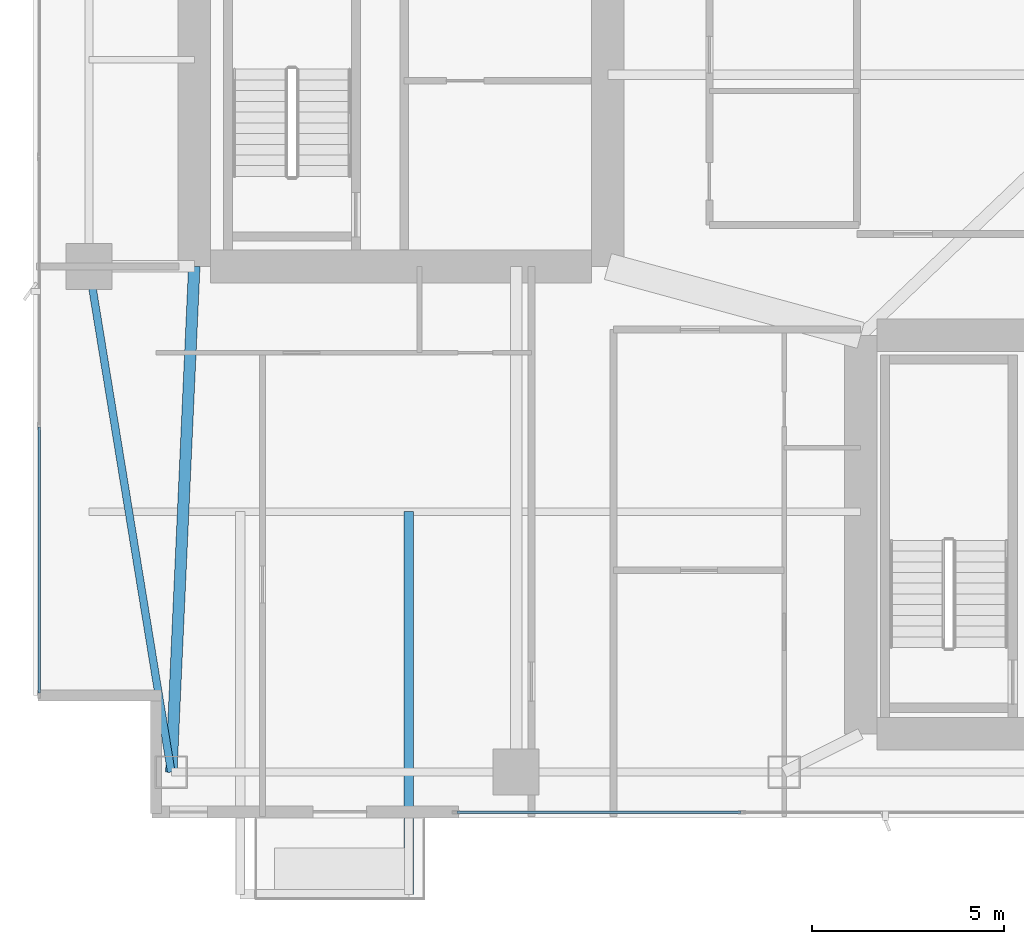
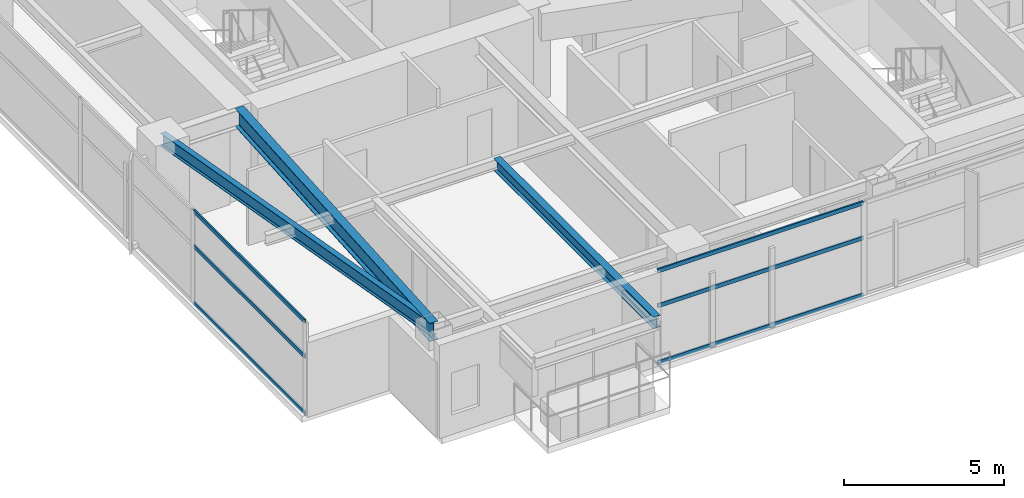
# One storey, part 3 of 28: 6 members, 3 beams, 2 elements without a shape of their own.
"""IFC4 building model written with IfcOpenShell, lengths in metres."""

from ifc_helpers import new_model, si_unit, direction, frame, origin, origin_2d, place, context, subcontext, project, spatial, hollow_rectangle, i_section, extrude, material, layer, layer_set, material_profile, profile_set, type_object, element, aggregate, save


model = new_model("IFC4")

# Units and contexts
model_context = context("Model", 3, precision=1e-05, world=origin(), true_north=direction((0.0, 1.0)))
body_context = subcontext(model_context, "Body", "Model", "MODEL_VIEW")
ifc_project = project(units=[si_unit("LENGTHUNIT", "METRE"), si_unit("AREAUNIT", "SQUARE_METRE"), si_unit("VOLUMEUNIT", "CUBIC_METRE"), si_unit("PLANEANGLEUNIT", "RADIAN"), si_unit("MASSUNIT", "GRAM", prefix="KILO")], contexts=[model_context])

# Site, building, storey
site_placement = place(None, origin())
site = spatial("IfcSite", under=ifc_project, at=site_placement, CompositionType="ELEMENT")
building_placement = place(site_placement, origin())
building = spatial("IfcBuilding", under=site, at=building_placement, Name="Calvorn Quay Hotel", CompositionType="ELEMENT")
storey_placement = place(building_placement, frame((0.0, 0.0, 131.60009765625)))
storey = spatial("IfcBuildingStorey", under=building, at=storey_placement, Name="L32", CompositionType="ELEMENT", Elevation=131.60009765625)

# Beams
ifc_material_1 = material(Name="Steel Q355B", Category="steel")
ifc_material_profile_1 = material_profile(ifc_material_1, i_section(OverallWidth=0.25, OverallDepth=0.449951171875, WebThickness=0.011962890625, FlangeThickness=0.01611328125, FilletRadius=0.01611328125, at=origin_2d()), Name="HN450x250x12x16")
ifc_profile_set_1 = profile_set([ifc_material_profile_1], Name="Steel Q355B")
beam_type_1 = type_object("IfcBeamType", Name="BM-CANT-BALC", PredefinedType="BEAM", material=ifc_profile_set_1)
beam_1_placement = place(storey_placement, frame((9.800048828125, 10.39990234375, 3.31494140625), z_axis=(0.0, -1.0, 0.0), x_axis=(1.0, 0.0, 0.0)))
element("IfcBeam", 1, at=beam_1_placement, inside=storey, type_object=beam_type_1, Name="Cantilever Balcony Beam BCB-L33-2B", PredefinedType="BEAM", context=body_context, shape_type="SweptSolid", body=[
    extrude(i_section(OverallWidth=0.25, OverallDepth=0.449951171875, WebThickness=0.011962890625, FlangeThickness=0.01611328125, FilletRadius=0.01611328125, at=origin_2d()), origin(), (0.0, 0.0, 1.0), 9.989990234375),
])
ifc_material_2 = material(Name="Steel Q390GJC", Category="steel")
ifc_material_profile_2 = material_profile(ifc_material_2, i_section(OverallWidth=0.300048828125, OverallDepth=0.699951171875, WebThickness=0.012939453125, FlangeThickness=0.02392578125, FilletRadius=0.02392578125, at=origin_2d()), Name="HN700x300x13x24")
ifc_profile_set_2 = profile_set([ifc_material_profile_2], Name="Steel Q390GJC")
beam_type_2 = type_object("IfcBeamType", Name="BM-GIRD-MAIN", PredefinedType="BEAM", material=ifc_profile_set_2)
beam_2_placement = place(storey_placement, frame((3.60009765625, 3.60009765625, 3.18994140625), z_axis=(0.045396765494, 0.998969035397, 0.0), x_axis=(-0.998969035397, 0.045396765494, 0.0)))
element("IfcBeam", 2, at=beam_2_placement, inside=storey, type_object=beam_type_2, Name="Beam BG-L32-W0", PredefinedType="BEAM", context=body_context, shape_type="SweptSolid", body=[
    extrude(i_section(OverallWidth=0.300048828125, OverallDepth=0.699951171875, WebThickness=0.012939453125, FlangeThickness=0.02392578125, FilletRadius=0.02392578125, at=origin_2d()), origin(), (0.0, 0.0, 1.0), 13.213623046875),
])
ifc_material_3 = material(Name="Steel Q355B", Category="steel")
ifc_material_profile_3 = material_profile(ifc_material_3, i_section(OverallWidth=0.199951171875, OverallDepth=0.5, WebThickness=0.010009765625, FlangeThickness=0.01611328125, FilletRadius=0.01611328125, at=origin_2d()), Name="HN500x200x10x16")
ifc_profile_set_3 = profile_set([ifc_material_profile_3], Name="Steel Q355B")
beam_type_3 = type_object("IfcBeamType", Name="BM-SPANDREL-Z1", PredefinedType="SPANDREL", material=ifc_profile_set_3)
beam_3_placement = place(storey_placement, frame((3.60009765625, 3.60009765625, 3.289794921875), z_axis=(-0.16077155054, 0.986991645627, 0.0), x_axis=(-0.986991645627, -0.16077155054, 0.0)))
element("IfcBeam", 3, at=beam_3_placement, inside=storey, type_object=beam_type_3, Name="Beam BSP-L32-W1", PredefinedType="SPANDREL", context=body_context, shape_type="SweptSolid", body=[
    extrude(i_section(OverallWidth=0.199951171875, OverallDepth=0.5, WebThickness=0.010009765625, FlangeThickness=0.01611328125, FilletRadius=0.01611328125, at=origin_2d()), origin(), (0.0, 0.0, 1.0), 13.3740234375),
])

# Curtain wall, members
ifc_material_4 = material(Name="Pale Anodised Aluminium and Low-E Glass", Category="aluminium")
ifc_layer = layer(ifc_material_4, 0.219970703125)
ifc_layer_set = layer_set([ifc_layer], Name="CW-SYS-Z2")
curtain_wall_type = type_object("IfcCurtainWallType", Name="CW-SYS-Z2", PredefinedType="NOTDEFINED", material=ifc_layer_set)
curtain_wall_1_placement = place(storey_placement, origin())
curtain_wall_1 = element("IfcCurtainWall", 4, at=curtain_wall_1_placement, inside=storey, type_object=curtain_wall_type, Name="Tower West Curtain Wall (L32)", PredefinedType="NOTDEFINED")
ifc_material_5 = material(Name="Pale Anodised Aluminium 6063-T6", Category="aluminium")
ifc_material_profile_4 = material_profile(ifc_material_5, hollow_rectangle(XDim=0.06005859375, YDim=0.14990234375, WallThickness=0.00341796875, at=origin_2d()), Name="ALU-T150x60x3.5")
ifc_profile_set_4 = profile_set([ifc_material_profile_4], Name="Pale Anodised Aluminium 6063-T6")
member_type = type_object("IfcMemberType", Name="CW-SYS-Z2-TRN", PredefinedType="USERDEFINED", material=ifc_profile_set_4)
member_1_placement = place(storey_placement, frame((0.14990234375, 5.659912109375, 0.02978515625), z_axis=(0.0, 1.0, 0.0), x_axis=(-1.0, 0.0, 0.0)))
member_1 = element("IfcMember", 5, at=member_1_placement, type_object=member_type, Name="CW-L32-W transom 1.1", ObjectType="TRANSOM", PredefinedType="USERDEFINED", context=body_context, shape_type="SweptSolid", body=[
    extrude(hollow_rectangle(XDim=0.06005859375, YDim=0.14990234375, WallThickness=0.00341796875, at=origin_2d()), origin(), (0.0, 0.0, 1.0), 6.943359375),
])
member_2_placement = place(storey_placement, frame((0.14990234375, 5.659912109375, 2.199951171875), z_axis=(0.0, 1.0, 0.0), x_axis=(-1.0, 0.0, 0.0)))
member_2 = element("IfcMember", 6, at=member_2_placement, type_object=member_type, Name="CW-L32-W transom 1.2", ObjectType="TRANSOM", PredefinedType="USERDEFINED", context=body_context, shape_type="SweptSolid", body=[
    extrude(hollow_rectangle(XDim=0.06005859375, YDim=0.14990234375, WallThickness=0.00341796875, at=origin_2d()), origin(), (0.0, 0.0, 1.0), 6.943359375),
])
member_3_placement = place(storey_placement, frame((0.14990234375, 5.659912109375, 3.52978515625), z_axis=(0.0, 1.0, 0.0), x_axis=(-1.0, 0.0, 0.0)))
member_3 = element("IfcMember", 7, at=member_3_placement, type_object=member_type, Name="CW-L32-W transom 1.3", ObjectType="TRANSOM", PredefinedType="USERDEFINED", context=body_context, shape_type="SweptSolid", body=[
    extrude(hollow_rectangle(XDim=0.06005859375, YDim=0.14990234375, WallThickness=0.00341796875, at=origin_2d()), origin(), (0.0, 0.0, 1.0), 6.943359375),
])
aggregate(curtain_wall_1, [member_1, member_2, member_3])

curtain_wall_2_placement = place(storey_placement, origin())
curtain_wall_2 = element("IfcCurtainWall", 8, at=curtain_wall_2_placement, inside=storey, type_object=curtain_wall_type, Name="Tower South Waterfront Curtain Wall (L32)", PredefinedType="NOTDEFINED")
member_4_placement = place(storey_placement, frame((11.06005859375, 2.550048828125, 0.02978515625), z_axis=(1.0, 0.0, 0.0), x_axis=(0.0, 1.0, 0.0)))
member_4 = element("IfcMember", 9, at=member_4_placement, type_object=member_type, Name="CW-L32-S transom 1.1", ObjectType="TRANSOM", PredefinedType="USERDEFINED", context=body_context, shape_type="SweptSolid", body=[
    extrude(hollow_rectangle(XDim=0.06005859375, YDim=0.14990234375, WallThickness=0.00341796875, at=origin_2d()), origin(), (0.0, 0.0, 1.0), 7.409912109375),
])
member_5_placement = place(storey_placement, frame((11.06005859375, 2.550048828125, 2.199951171875), z_axis=(1.0, 0.0, 0.0), x_axis=(0.0, 1.0, 0.0)))
member_5 = element("IfcMember", 10, at=member_5_placement, type_object=member_type, Name="CW-L32-S transom 1.2", ObjectType="TRANSOM", PredefinedType="USERDEFINED", context=body_context, shape_type="SweptSolid", body=[
    extrude(hollow_rectangle(XDim=0.06005859375, YDim=0.14990234375, WallThickness=0.00341796875, at=origin_2d()), origin(), (0.0, 0.0, 1.0), 7.409912109375),
])
member_6_placement = place(storey_placement, frame((11.06005859375, 2.550048828125, 3.52978515625), z_axis=(1.0, 0.0, 0.0), x_axis=(0.0, 1.0, 0.0)))
member_6 = element("IfcMember", 11, at=member_6_placement, type_object=member_type, Name="CW-L32-S transom 1.3", ObjectType="TRANSOM", PredefinedType="USERDEFINED", context=body_context, shape_type="SweptSolid", body=[
    extrude(hollow_rectangle(XDim=0.06005859375, YDim=0.14990234375, WallThickness=0.00341796875, at=origin_2d()), origin(), (0.0, 0.0, 1.0), 7.409912109375),
])
aggregate(curtain_wall_2, [member_4, member_5, member_6])

save(model, "model.ifc")
